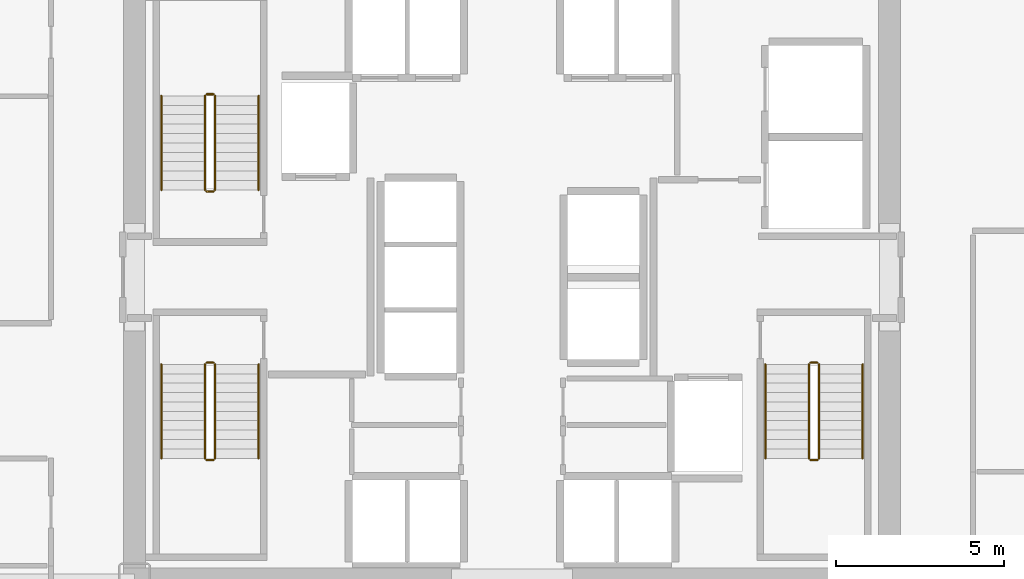
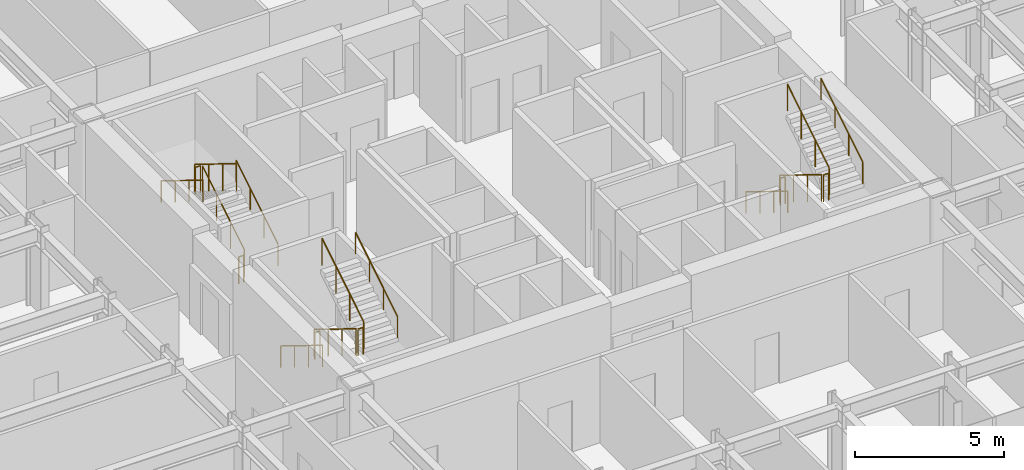
# One storey, part 25 of 25: 18 railings.
"""IFC4 building model written with IfcOpenShell, lengths in metres."""

from ifc_helpers import new_model, si_unit, direction, frame, origin, origin_2d, place, context, subcontext, project, spatial, circle, extrude, material, type_object, element, save


model = new_model("IFC4")

# Units and contexts
model_context = context("Model", 3, precision=1e-05, world=origin(), true_north=direction((0.0, 1.0)))
body_context = subcontext(model_context, "Body", "Model", "MODEL_VIEW")
ifc_project = project(units=[si_unit("LENGTHUNIT", "METRE"), si_unit("AREAUNIT", "SQUARE_METRE"), si_unit("VOLUMEUNIT", "CUBIC_METRE"), si_unit("PLANEANGLEUNIT", "RADIAN"), si_unit("MASSUNIT", "GRAM", prefix="KILO")], contexts=[model_context])

# Site, building, storey
site_placement = place(None, origin())
site = spatial("IfcSite", under=ifc_project, at=site_placement, CompositionType="ELEMENT")
building_placement = place(site_placement, origin())
building = spatial("IfcBuilding", under=site, at=building_placement, Name="Nefas-Gora Pilgrimage Tower", CompositionType="ELEMENT")
storey_placement = place(building_placement, frame((0.0, 0.0, 74.800048828125)))
storey = spatial("IfcBuildingStorey", under=building, at=storey_placement, Name="L17", CompositionType="ELEMENT", Elevation=74.800048828125)

# Railings
ifc_material_1 = material(Name="Painted galvanised steel", Category="steel")
railing_type_1 = type_object("IfcRailingType", Name="RLG-STR-GUARD-1100", PredefinedType="GUARDRAIL", material=ifc_material_1)
railing_1_placement = place(storey_placement, frame((-8.85009765625, 2.60009765625, 0.172607421875)))
element("IfcRailing", 1, at=railing_1_placement, inside=storey, type_object=railing_type_1, Name="L17 ST-01 stair guard 1", PredefinedType="GUARDRAIL", context=body_context, shape_type="SweptSolid", body=[
    extrude(circle(Radius=0.02392578125, at=origin_2d()), frame((0.0, 0.0, 1.09619140625), z_axis=(0.0, 0.851069175582, 0.525053576669), x_axis=(-1.0, 0.0, 0.0)), (0.0, 0.0, 1.0), 3.289794921875),
    extrude(circle(Radius=0.02099609375, at=origin_2d()), origin(), (0.0, 0.0, 1.0), 1.072021484375),
    extrude(circle(Radius=0.02099609375, at=origin_2d()), frame((0.0, 0.933349609375, 0.57568359375)), (0.0, 0.0, 1.0), 1.072021484375),
    extrude(circle(Radius=0.02099609375, at=origin_2d()), frame((0.0, 1.866455078125, 1.151611328125)), (0.0, 0.0, 1.0), 1.072021484375),
    extrude(circle(Radius=0.02099609375, at=origin_2d()), frame((0.0, 2.7998046875, 1.727294921875)), (0.0, 0.0, 1.0), 1.072021484375),
])
railing_2_placement = place(storey_placement, frame((-8.89990234375, 5.449951171875, 1.89990234375)))
element("IfcRailing", 2, at=railing_2_placement, inside=storey, type_object=railing_type_1, Name="L17 ST-01 stair guard 2", PredefinedType="GUARDRAIL", context=body_context, shape_type="SweptSolid", body=[
    extrude(circle(Radius=0.02392578125, at=origin_2d()), frame((0.0, 0.0, 1.09619140625), z_axis=(-1.0, 0.0, 0.0), x_axis=(0.0, -1.0, 0.0)), (0.0, 0.0, 1.0), 0.2001953125),
    extrude(circle(Radius=0.02099609375, at=origin_2d()), origin(), (0.0, 0.0, 1.0), 1.072021484375),
    extrude(circle(Radius=0.02099609375, at=origin_2d()), frame((-0.2001953125, 0.0, 0.0)), (0.0, 0.0, 1.0), 1.072021484375),
])
railing_3_placement = place(storey_placement, frame((-9.14990234375, 5.39990234375, 2.07275390625)))
element("IfcRailing", 3, at=railing_3_placement, inside=storey, type_object=railing_type_1, Name="L17 ST-01 stair guard 3", PredefinedType="GUARDRAIL", context=body_context, shape_type="SweptSolid", body=[
    extrude(circle(Radius=0.02392578125, at=origin_2d()), frame((0.0, 0.0, 1.09619140625), z_axis=(0.0, -0.851069175582, 0.525053576669), x_axis=(1.0, 0.0, 0.0)), (0.0, 0.0, 1.0), 3.289794921875),
    extrude(circle(Radius=0.02099609375, at=origin_2d()), origin(), (0.0, 0.0, 1.0), 1.072021484375),
    extrude(circle(Radius=0.02099609375, at=origin_2d()), frame((0.0, -0.933349609375, 0.57568359375)), (0.0, 0.0, 1.0), 1.072021484375),
    extrude(circle(Radius=0.02099609375, at=origin_2d()), frame((0.0, -1.866455078125, 1.151611328125)), (0.0, 0.0, 1.0), 1.072021484375),
    extrude(circle(Radius=0.02099609375, at=origin_2d()), frame((0.0, -2.7998046875, 1.727294921875)), (0.0, 0.0, 1.0), 1.072021484375),
])
railing_4_placement = place(storey_placement, frame((-8.89990234375, 2.550048828125, 0.0)))
element("IfcRailing", 4, at=railing_4_placement, inside=storey, type_object=railing_type_1, Name="L17 ST-01 stair guard 4", PredefinedType="GUARDRAIL", context=body_context, shape_type="SweptSolid", body=[
    extrude(circle(Radius=0.02392578125, at=origin_2d()), frame((0.0, 0.0, 1.09619140625), z_axis=(-1.0, 0.0, 0.0), x_axis=(0.0, -1.0, 0.0)), (0.0, 0.0, 1.0), 0.2001953125),
    extrude(circle(Radius=0.02099609375, at=origin_2d()), origin(), (0.0, 0.0, 1.0), 1.072021484375),
    extrude(circle(Radius=0.02099609375, at=origin_2d()), frame((-0.2001953125, 0.0, 0.0)), (0.0, 0.0, 1.0), 1.072021484375),
])
railing_5_placement = place(storey_placement, frame((8.85009765625, -2.60009765625, 0.172607421875)))
element("IfcRailing", 5, at=railing_5_placement, inside=storey, type_object=railing_type_1, Name="L17 ST-02 stair guard 1", PredefinedType="GUARDRAIL", context=body_context, shape_type="SweptSolid", body=[
    extrude(circle(Radius=0.02392578125, at=origin_2d()), frame((0.0, 0.0, 1.09619140625), z_axis=(0.0, -0.851069175582, 0.525053576669), x_axis=(1.0, 0.0, 0.0)), (0.0, 0.0, 1.0), 3.289794921875),
    extrude(circle(Radius=0.02099609375, at=origin_2d()), origin(), (0.0, 0.0, 1.0), 1.072021484375),
    extrude(circle(Radius=0.02099609375, at=origin_2d()), frame((0.0, -0.933349609375, 0.57568359375)), (0.0, 0.0, 1.0), 1.072021484375),
    extrude(circle(Radius=0.02099609375, at=origin_2d()), frame((0.0, -1.866455078125, 1.151611328125)), (0.0, 0.0, 1.0), 1.072021484375),
    extrude(circle(Radius=0.02099609375, at=origin_2d()), frame((0.0, -2.7998046875, 1.727294921875)), (0.0, 0.0, 1.0), 1.072021484375),
])
railing_6_placement = place(storey_placement, frame((8.89990234375, -5.449951171875, 1.89990234375)))
element("IfcRailing", 6, at=railing_6_placement, inside=storey, type_object=railing_type_1, Name="L17 ST-02 stair guard 2", PredefinedType="GUARDRAIL", context=body_context, shape_type="SweptSolid", body=[
    extrude(circle(Radius=0.02392578125, at=origin_2d()), frame((0.0, 0.0, 1.09619140625), z_axis=(1.0, 0.0, 0.0), x_axis=(0.0, 1.0, 0.0)), (0.0, 0.0, 1.0), 0.2001953125),
    extrude(circle(Radius=0.02099609375, at=origin_2d()), origin(), (0.0, 0.0, 1.0), 1.072021484375),
    extrude(circle(Radius=0.02099609375, at=origin_2d()), frame((0.2001953125, 0.0, 0.0)), (0.0, 0.0, 1.0), 1.072021484375),
])
railing_7_placement = place(storey_placement, frame((9.14990234375, -5.39990234375, 2.07275390625)))
element("IfcRailing", 7, at=railing_7_placement, inside=storey, type_object=railing_type_1, Name="L17 ST-02 stair guard 3", PredefinedType="GUARDRAIL", context=body_context, shape_type="SweptSolid", body=[
    extrude(circle(Radius=0.02392578125, at=origin_2d()), frame((0.0, 0.0, 1.09619140625), z_axis=(0.0, 0.851069175582, 0.525053576669), x_axis=(-1.0, 0.0, 0.0)), (0.0, 0.0, 1.0), 3.289794921875),
    extrude(circle(Radius=0.02099609375, at=origin_2d()), origin(), (0.0, 0.0, 1.0), 1.072021484375),
    extrude(circle(Radius=0.02099609375, at=origin_2d()), frame((0.0, 0.933349609375, 0.57568359375)), (0.0, 0.0, 1.0), 1.072021484375),
    extrude(circle(Radius=0.02099609375, at=origin_2d()), frame((0.0, 1.866455078125, 1.151611328125)), (0.0, 0.0, 1.0), 1.072021484375),
    extrude(circle(Radius=0.02099609375, at=origin_2d()), frame((0.0, 2.7998046875, 1.727294921875)), (0.0, 0.0, 1.0), 1.072021484375),
])
railing_8_placement = place(storey_placement, frame((8.89990234375, -2.550048828125, 0.0)))
element("IfcRailing", 8, at=railing_8_placement, inside=storey, type_object=railing_type_1, Name="L17 ST-02 stair guard 4", PredefinedType="GUARDRAIL", context=body_context, shape_type="SweptSolid", body=[
    extrude(circle(Radius=0.02392578125, at=origin_2d()), frame((0.0, 0.0, 1.09619140625), z_axis=(1.0, 0.0, 0.0), x_axis=(0.0, 1.0, 0.0)), (0.0, 0.0, 1.0), 0.2001953125),
    extrude(circle(Radius=0.02099609375, at=origin_2d()), origin(), (0.0, 0.0, 1.0), 1.072021484375),
    extrude(circle(Radius=0.02099609375, at=origin_2d()), frame((0.2001953125, 0.0, 0.0)), (0.0, 0.0, 1.0), 1.072021484375),
])
railing_9_placement = place(storey_placement, frame((-9.14990234375, -2.60009765625, 0.172607421875)))
element("IfcRailing", 9, at=railing_9_placement, inside=storey, type_object=railing_type_1, Name="L17 ST-03 stair guard 1", PredefinedType="GUARDRAIL", context=body_context, shape_type="SweptSolid", body=[
    extrude(circle(Radius=0.02392578125, at=origin_2d()), frame((0.0, 0.0, 1.09619140625), z_axis=(0.0, -0.851069175582, 0.525053576669), x_axis=(1.0, 0.0, 0.0)), (0.0, 0.0, 1.0), 3.289794921875),
    extrude(circle(Radius=0.02099609375, at=origin_2d()), origin(), (0.0, 0.0, 1.0), 1.072021484375),
    extrude(circle(Radius=0.02099609375, at=origin_2d()), frame((0.0, -0.933349609375, 0.57568359375)), (0.0, 0.0, 1.0), 1.072021484375),
    extrude(circle(Radius=0.02099609375, at=origin_2d()), frame((0.0, -1.866455078125, 1.151611328125)), (0.0, 0.0, 1.0), 1.072021484375),
    extrude(circle(Radius=0.02099609375, at=origin_2d()), frame((0.0, -2.7998046875, 1.727294921875)), (0.0, 0.0, 1.0), 1.072021484375),
])
railing_10_placement = place(storey_placement, frame((-9.10009765625, -5.449951171875, 1.89990234375)))
element("IfcRailing", 10, at=railing_10_placement, inside=storey, type_object=railing_type_1, Name="L17 ST-03 stair guard 2", PredefinedType="GUARDRAIL", context=body_context, shape_type="SweptSolid", body=[
    extrude(circle(Radius=0.02392578125, at=origin_2d()), frame((0.0, 0.0, 1.09619140625), z_axis=(1.0, 0.0, 0.0), x_axis=(0.0, 1.0, 0.0)), (0.0, 0.0, 1.0), 0.2001953125),
    extrude(circle(Radius=0.02099609375, at=origin_2d()), origin(), (0.0, 0.0, 1.0), 1.072021484375),
    extrude(circle(Radius=0.02099609375, at=origin_2d()), frame((0.2001953125, 0.0, 0.0)), (0.0, 0.0, 1.0), 1.072021484375),
])
railing_11_placement = place(storey_placement, frame((-8.85009765625, -5.39990234375, 2.07275390625)))
element("IfcRailing", 11, at=railing_11_placement, inside=storey, type_object=railing_type_1, Name="L17 ST-03 stair guard 3", PredefinedType="GUARDRAIL", context=body_context, shape_type="SweptSolid", body=[
    extrude(circle(Radius=0.02392578125, at=origin_2d()), frame((0.0, 0.0, 1.09619140625), z_axis=(0.0, 0.851069175582, 0.525053576669), x_axis=(-1.0, 0.0, 0.0)), (0.0, 0.0, 1.0), 3.289794921875),
    extrude(circle(Radius=0.02099609375, at=origin_2d()), origin(), (0.0, 0.0, 1.0), 1.072021484375),
    extrude(circle(Radius=0.02099609375, at=origin_2d()), frame((0.0, 0.933349609375, 0.57568359375)), (0.0, 0.0, 1.0), 1.072021484375),
    extrude(circle(Radius=0.02099609375, at=origin_2d()), frame((0.0, 1.866455078125, 1.151611328125)), (0.0, 0.0, 1.0), 1.072021484375),
    extrude(circle(Radius=0.02099609375, at=origin_2d()), frame((0.0, 2.7998046875, 1.727294921875)), (0.0, 0.0, 1.0), 1.072021484375),
])
railing_12_placement = place(storey_placement, frame((-9.10009765625, -2.550048828125, 0.0)))
element("IfcRailing", 12, at=railing_12_placement, inside=storey, type_object=railing_type_1, Name="L17 ST-03 stair guard 4", PredefinedType="GUARDRAIL", context=body_context, shape_type="SweptSolid", body=[
    extrude(circle(Radius=0.02392578125, at=origin_2d()), frame((0.0, 0.0, 1.09619140625), z_axis=(1.0, 0.0, 0.0), x_axis=(0.0, 1.0, 0.0)), (0.0, 0.0, 1.0), 0.2001953125),
    extrude(circle(Radius=0.02099609375, at=origin_2d()), origin(), (0.0, 0.0, 1.0), 1.072021484375),
    extrude(circle(Radius=0.02099609375, at=origin_2d()), frame((0.2001953125, 0.0, 0.0)), (0.0, 0.0, 1.0), 1.072021484375),
])
ifc_material_2 = material(Name="Brushed stainless steel", Category="steel")
railing_type_2 = type_object("IfcRailingType", Name="RLG-STR-HAND-900", PredefinedType="HANDRAIL", material=ifc_material_2)
railing_13_placement = place(storey_placement, frame((-7.550048828125, 2.60009765625, 0.172607421875)))
element("IfcRailing", 13, at=railing_13_placement, inside=storey, type_object=railing_type_2, Name="L17 ST-01 stair handrail 1", PredefinedType="HANDRAIL", context=body_context, shape_type="SweptSolid", body=[
    extrude(circle(Radius=0.02392578125, at=origin_2d()), frame((0.0, 0.0, 0.8759765625), z_axis=(0.0, 0.851069175582, 0.525053576669), x_axis=(-1.0, 0.0, 0.0)), (0.0, 0.0, 1.0), 3.289794921875),
    extrude(circle(Radius=0.02099609375, at=origin_2d()), origin(), (0.0, 0.0, 1.0), 0.851806640625),
    extrude(circle(Radius=0.02099609375, at=origin_2d()), frame((0.0, 0.933349609375, 0.57568359375)), (0.0, 0.0, 1.0), 0.851806640625),
    extrude(circle(Radius=0.02099609375, at=origin_2d()), frame((0.0, 1.866455078125, 1.151611328125)), (0.0, 0.0, 1.0), 0.851806640625),
    extrude(circle(Radius=0.02099609375, at=origin_2d()), frame((0.0, 2.7998046875, 1.727294921875)), (0.0, 0.0, 1.0), 0.851806640625),
])
for number, where, name in (
    (14, (-10.449951171875, 5.39990234375, 2.07275390625), "L17 ST-01 stair handrail 2"),
    (15, (7.550048828125, -2.60009765625, 0.172607421875), "L17 ST-02 stair handrail 1"),
):
    element("IfcRailing", number, at=place(storey_placement, frame(where)), inside=storey, type_object=railing_type_2, Name=name, PredefinedType="HANDRAIL", context=body_context, shape_type="SweptSolid", body=[
        extrude(circle(Radius=0.02392578125, at=origin_2d()), frame((0.0, 0.0, 0.8759765625), z_axis=(0.0, -0.851069175582, 0.525053576669), x_axis=(1.0, 0.0, 0.0)), (0.0, 0.0, 1.0), 3.289794921875),
        extrude(circle(Radius=0.02099609375, at=origin_2d()), origin(), (0.0, 0.0, 1.0), 0.851806640625),
        extrude(circle(Radius=0.02099609375, at=origin_2d()), frame((0.0, -0.933349609375, 0.57568359375)), (0.0, 0.0, 1.0), 0.851806640625),
        extrude(circle(Radius=0.02099609375, at=origin_2d()), frame((0.0, -1.866455078125, 1.151611328125)), (0.0, 0.0, 1.0), 0.851806640625),
        extrude(circle(Radius=0.02099609375, at=origin_2d()), frame((0.0, -2.7998046875, 1.727294921875)), (0.0, 0.0, 1.0), 0.851806640625),
    ])
railing_14_placement = place(storey_placement, frame((10.449951171875, -5.39990234375, 2.07275390625)))
element("IfcRailing", 16, at=railing_14_placement, inside=storey, type_object=railing_type_2, Name="L17 ST-02 stair handrail 2", PredefinedType="HANDRAIL", context=body_context, shape_type="SweptSolid", body=[
    extrude(circle(Radius=0.02392578125, at=origin_2d()), frame((0.0, 0.0, 0.8759765625), z_axis=(0.0, 0.851069175582, 0.525053576669), x_axis=(-1.0, 0.0, 0.0)), (0.0, 0.0, 1.0), 3.289794921875),
    extrude(circle(Radius=0.02099609375, at=origin_2d()), origin(), (0.0, 0.0, 1.0), 0.851806640625),
    extrude(circle(Radius=0.02099609375, at=origin_2d()), frame((0.0, 0.933349609375, 0.57568359375)), (0.0, 0.0, 1.0), 0.851806640625),
    extrude(circle(Radius=0.02099609375, at=origin_2d()), frame((0.0, 1.866455078125, 1.151611328125)), (0.0, 0.0, 1.0), 0.851806640625),
    extrude(circle(Radius=0.02099609375, at=origin_2d()), frame((0.0, 2.7998046875, 1.727294921875)), (0.0, 0.0, 1.0), 0.851806640625),
])
railing_15_placement = place(storey_placement, frame((-10.449951171875, -2.60009765625, 0.172607421875)))
element("IfcRailing", 17, at=railing_15_placement, inside=storey, type_object=railing_type_2, Name="L17 ST-03 stair handrail 1", PredefinedType="HANDRAIL", context=body_context, shape_type="SweptSolid", body=[
    extrude(circle(Radius=0.02392578125, at=origin_2d()), frame((0.0, 0.0, 0.8759765625), z_axis=(0.0, -0.851069175582, 0.525053576669), x_axis=(1.0, 0.0, 0.0)), (0.0, 0.0, 1.0), 3.289794921875),
    extrude(circle(Radius=0.02099609375, at=origin_2d()), origin(), (0.0, 0.0, 1.0), 0.851806640625),
    extrude(circle(Radius=0.02099609375, at=origin_2d()), frame((0.0, -0.933349609375, 0.57568359375)), (0.0, 0.0, 1.0), 0.851806640625),
    extrude(circle(Radius=0.02099609375, at=origin_2d()), frame((0.0, -1.866455078125, 1.151611328125)), (0.0, 0.0, 1.0), 0.851806640625),
    extrude(circle(Radius=0.02099609375, at=origin_2d()), frame((0.0, -2.7998046875, 1.727294921875)), (0.0, 0.0, 1.0), 0.851806640625),
])
railing_16_placement = place(storey_placement, frame((-7.550048828125, -5.39990234375, 2.07275390625)))
element("IfcRailing", 18, at=railing_16_placement, inside=storey, type_object=railing_type_2, Name="L17 ST-03 stair handrail 2", PredefinedType="HANDRAIL", context=body_context, shape_type="SweptSolid", body=[
    extrude(circle(Radius=0.02392578125, at=origin_2d()), frame((0.0, 0.0, 0.8759765625), z_axis=(0.0, 0.851069175582, 0.525053576669), x_axis=(-1.0, 0.0, 0.0)), (0.0, 0.0, 1.0), 3.289794921875),
    extrude(circle(Radius=0.02099609375, at=origin_2d()), origin(), (0.0, 0.0, 1.0), 0.851806640625),
    extrude(circle(Radius=0.02099609375, at=origin_2d()), frame((0.0, 0.933349609375, 0.57568359375)), (0.0, 0.0, 1.0), 0.851806640625),
    extrude(circle(Radius=0.02099609375, at=origin_2d()), frame((0.0, 1.866455078125, 1.151611328125)), (0.0, 0.0, 1.0), 0.851806640625),
    extrude(circle(Radius=0.02099609375, at=origin_2d()), frame((0.0, 2.7998046875, 1.727294921875)), (0.0, 0.0, 1.0), 0.851806640625),
])

save(model, "model.ifc")
